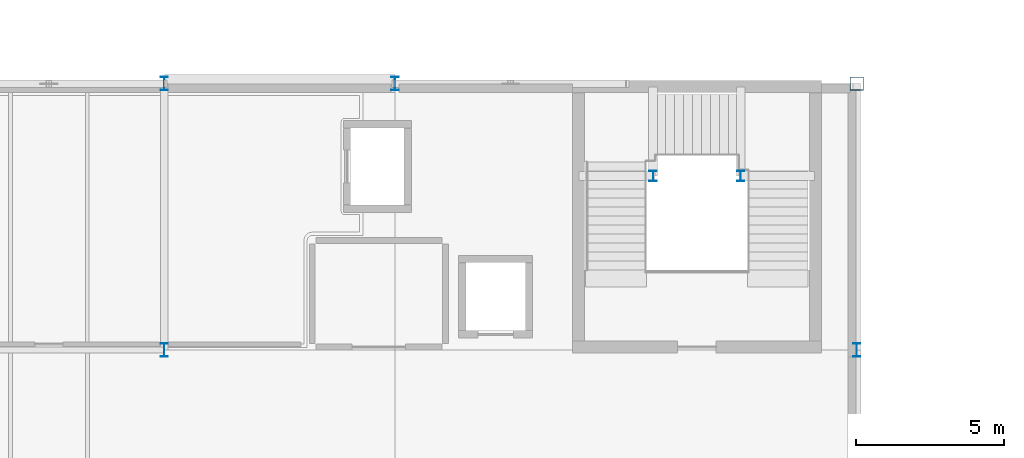
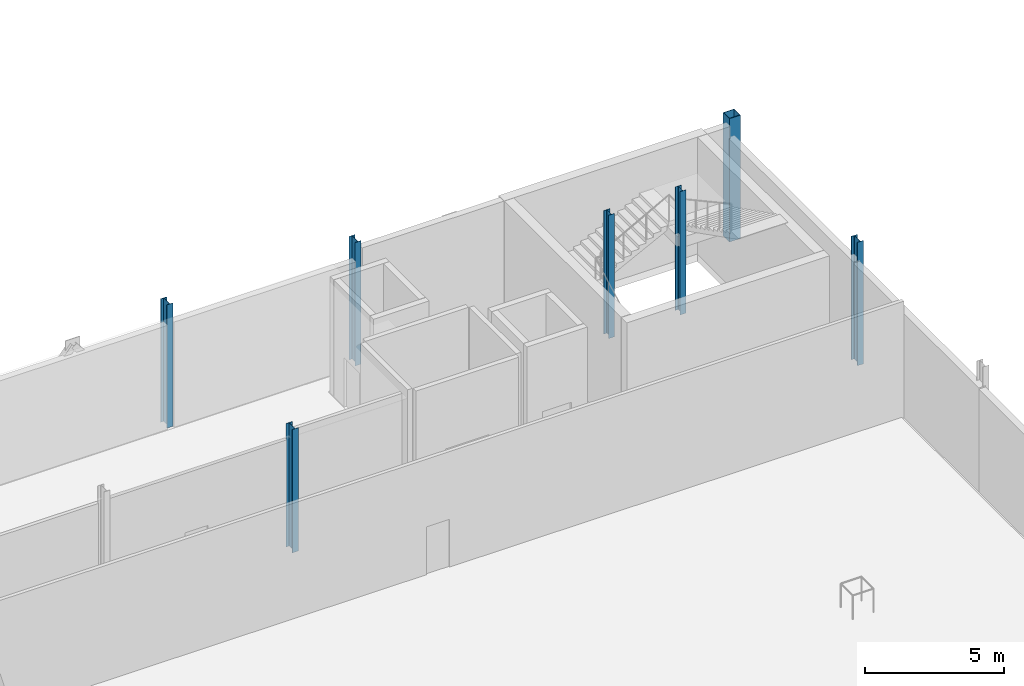
# One storey, part 13 of 57: 7 columns.
"""IFC4 building model written with IfcOpenShell, lengths in metres."""

from ifc_helpers import new_model, si_unit, derived_unit, direction, frame, origin, origin_2d, place, context, subcontext, project, spatial, hollow_rectangle, i_section, extrude, material, material_profile, profile_set, type_object, element, save


model = new_model("IFC4")

# Units and contexts
model_context = context("Model", 3, precision=1e-05, world=origin(), true_north=direction((0.0, 1.0)))
body_context = subcontext(model_context, "Body", "Model", "MODEL_VIEW")
ifc_project = project(units=[si_unit("LENGTHUNIT", "METRE"), si_unit("AREAUNIT", "SQUARE_METRE"), si_unit("VOLUMEUNIT", "CUBIC_METRE"), si_unit("PLANEANGLEUNIT", "RADIAN"), si_unit("MASSUNIT", "GRAM", prefix="KILO"), derived_unit("THERMALTRANSMITTANCEUNIT", [(si_unit("POWERUNIT", "WATT"), 1), (si_unit("LENGTHUNIT", "METRE"), -2), (si_unit("THERMODYNAMICTEMPERATUREUNIT", "KELVIN"), -1)])], contexts=[model_context])

# Site, building, storey
site_placement = place(None, origin())
site = spatial("IfcSite", under=ifc_project, at=site_placement, CompositionType="ELEMENT")
building_placement = place(site_placement, origin())
building = spatial("IfcBuilding", under=site, at=building_placement, Name="Nallur Shell Playhouse", CompositionType="ELEMENT")
storey_placement = place(building_placement, origin())
storey = spatial("IfcBuildingStorey", under=building, at=storey_placement, Name="L01", CompositionType="ELEMENT", Elevation=0.0)

# Columns
ifc_material = material(Name="Steel E350", Category="steel")
ifc_material_profile_1 = material_profile(ifc_material, hollow_rectangle(XDim=0.449951171875, YDim=0.449951171875, WallThickness=0.02001953125, at=origin_2d()), Name="BOX 450x450x20")
ifc_profile_set_1 = profile_set([ifc_material_profile_1], Name="Steel E350")
column_type_1 = type_object("IfcColumnType", Name="CL-ST-BOX450", PredefinedType="COLUMN", material=ifc_profile_set_1)
column_placement = place(storey_placement, frame((103.0, 83.0, 0.0), z_axis=(0.0, 0.0, 1.0), x_axis=(1.0, 0.0, 0.0)))
element("IfcColumn", 1, at=column_placement, inside=storey, type_object=column_type_1, Name="Column 13-K (L01)", PredefinedType="COLUMN", context=body_context, shape_type="SweptSolid", body=[
    extrude(hollow_rectangle(XDim=0.449951171875, YDim=0.449951171875, WallThickness=0.02001953125, at=origin_2d()), origin(), (0.0, 0.0, 1.0), 5.39990234375),
])
ifc_material_profile_2 = material_profile(ifc_material, i_section(OverallWidth=0.25, OverallDepth=0.35009765625, WebThickness=0.010009765625, FlangeThickness=0.01171875, FilletRadius=0.011962890625, at=origin_2d()), Name="ISHB 350")
ifc_profile_set_2 = profile_set([ifc_material_profile_2], Name="Steel E350")
column_type_2 = type_object("IfcColumnType", Name="CL-ST-ISHB350", PredefinedType="COLUMN", material=ifc_profile_set_2)
for number, where, z_axis, x_axis, name in (
    (2, (96.1201171875, 79.8798828125, 0.0), (0.0, 0.0, 1.0), (1.0, 0.0, 0.0), "Column STW-JC-4-W (L01)"),
    (3, (99.080078125, 79.8798828125, 0.0), (0.0, 0.0, 1.0), (1.0, 0.0, 0.0), "Column STW-JC-4-E (L01)"),
):
    element("IfcColumn", number, at=place(storey_placement, frame(where, z_axis=z_axis, x_axis=x_axis)), inside=storey, type_object=column_type_2, Name=name, PredefinedType="COLUMN", context=body_context, shape_type="SweptSolid", body=[
        extrude(i_section(OverallWidth=0.25, OverallDepth=0.35009765625, WebThickness=0.010009765625, FlangeThickness=0.01171875, FilletRadius=0.011962890625, at=origin_2d()), origin(), (0.0, 0.0, 1.0), 5.39990234375),
    ])
ifc_material_profile_3 = material_profile(ifc_material, i_section(OverallWidth=0.25, OverallDepth=0.449951171875, WebThickness=0.01123046875, FlangeThickness=0.013671875, FilletRadius=0.014892578125, at=origin_2d()), Name="ISHB 450")
ifc_profile_set_3 = profile_set([ifc_material_profile_3], Name="Steel E350")
column_type_3 = type_object("IfcColumnType", Name="CL-ST-ISHB450", PredefinedType="COLUMN", material=ifc_profile_set_3)
for number, where, z_axis, x_axis, name in (
    (4, (79.60009765625, 74.0, 0.0), (0.0, 0.0, 1.0), (1.0, 0.0, 0.0), "Column 10-J (L01)"),
    (5, (79.60009765625, 83.0, 0.0), (0.0, 0.0, 1.0), (1.0, 0.0, 0.0), "Column 10-K (L01)"),
    (6, (87.39990234375, 83.0, 0.0), (0.0, 0.0, 1.0), (1.0, 0.0, 0.0), "Column 11-K (L01)"),
    (7, (103.0, 74.0, 0.0), (0.0, 0.0, 1.0), (1.0, 0.0, 0.0), "Column 13-J (L01)"),
):
    element("IfcColumn", number, at=place(storey_placement, frame(where, z_axis=z_axis, x_axis=x_axis)), inside=storey, type_object=column_type_3, Name=name, PredefinedType="COLUMN", context=body_context, shape_type="SweptSolid", body=[
        extrude(i_section(OverallWidth=0.25, OverallDepth=0.449951171875, WebThickness=0.01123046875, FlangeThickness=0.013671875, FilletRadius=0.014892578125, at=origin_2d()), origin(), (0.0, 0.0, 1.0), 5.39990234375),
    ])

save(model, "model.ifc")
